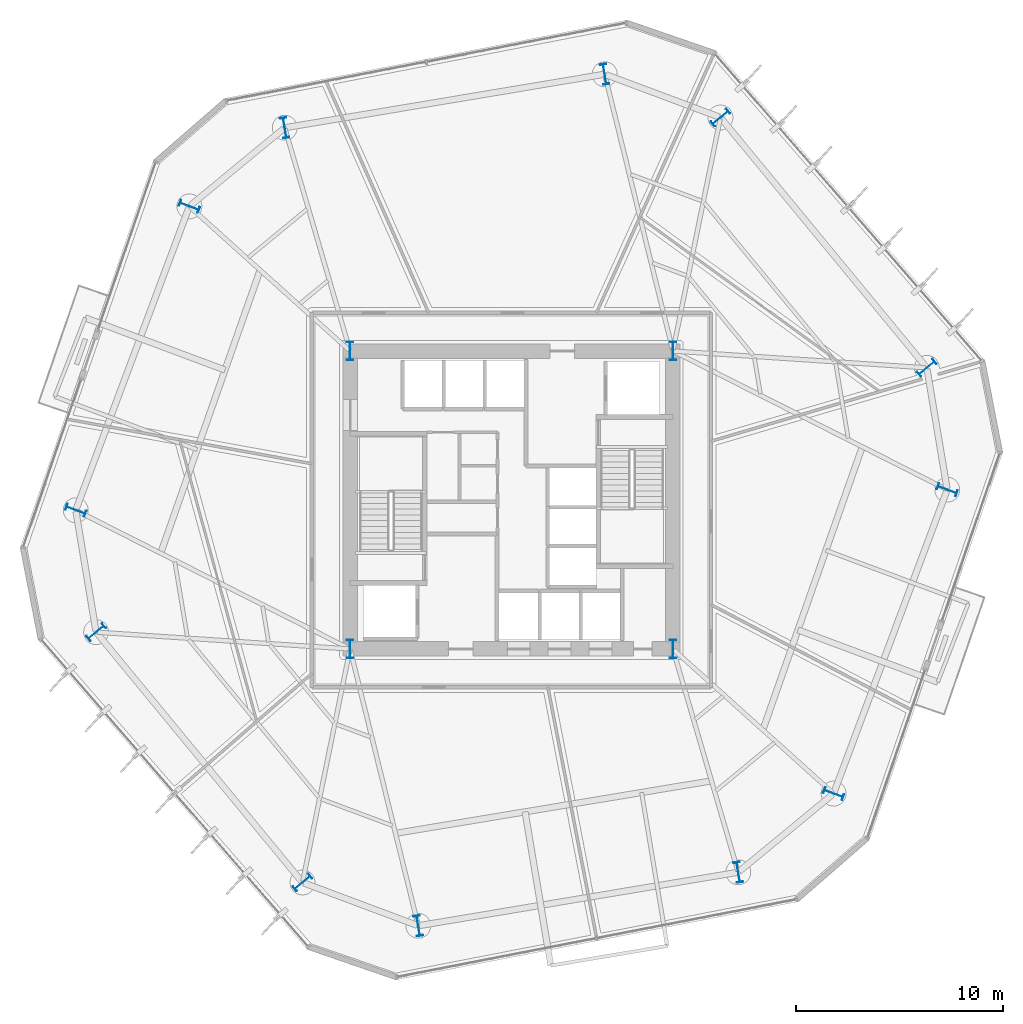
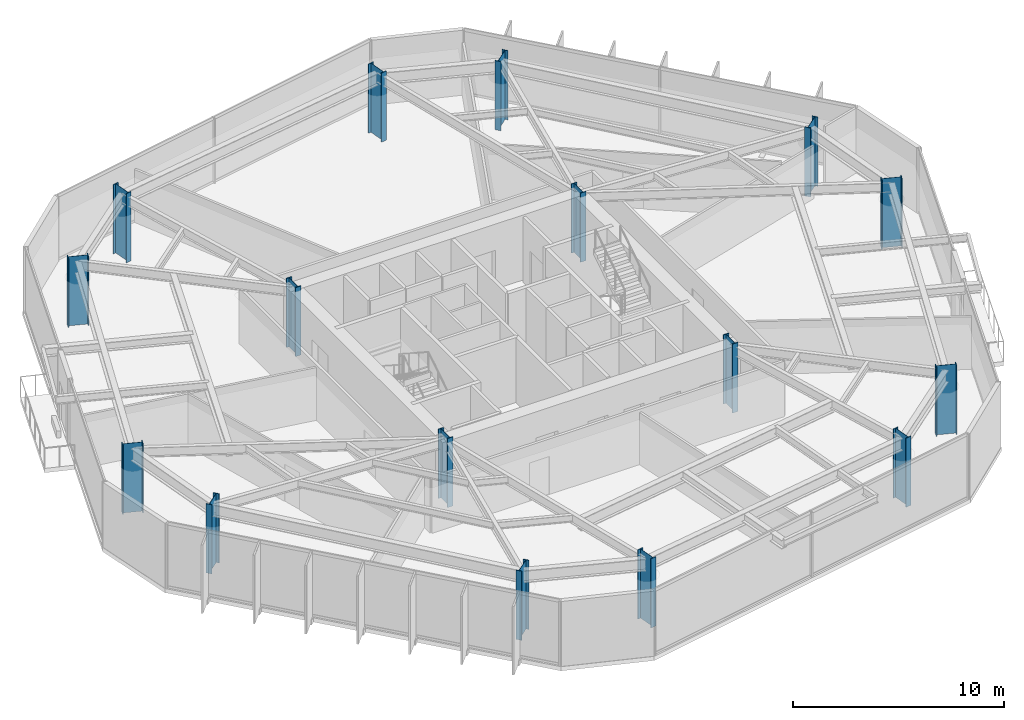
# One storey, part 1 of 10: 16 columns.
"""IFC4 building model written with IfcOpenShell, lengths in metres."""

from ifc_helpers import new_model, si_unit, direction, frame, origin, origin_2d, place, context, subcontext, project, spatial, i_section, extrude, material, material_profile, profile_set, type_object, element, save


model = new_model("IFC4")

# Units and contexts
model_context = context("Model", 3, precision=1e-05, world=origin(), true_north=direction((0.0, 1.0)))
body_context = subcontext(model_context, "Body", "Model", "MODEL_VIEW")
ifc_project = project(units=[si_unit("LENGTHUNIT", "METRE"), si_unit("AREAUNIT", "SQUARE_METRE"), si_unit("VOLUMEUNIT", "CUBIC_METRE"), si_unit("PLANEANGLEUNIT", "RADIAN"), si_unit("MASSUNIT", "GRAM", prefix="KILO")], contexts=[model_context])

# Site, building, storey
site_placement = place(None, origin())
site = spatial("IfcSite", under=ifc_project, at=site_placement, CompositionType="ELEMENT")
building_placement = place(site_placement, origin())
building = spatial("IfcBuilding", under=site, at=building_placement, Name="Kranzbogen Civic Tower", CompositionType="ELEMENT")
storey_placement = place(building_placement, frame((0.0, 0.0, 64.0)))
storey = spatial("IfcBuildingStorey", under=building, at=storey_placement, Name="L15", CompositionType="ELEMENT", Elevation=64.0)

# Columns
ifc_material_1 = material(Name="Steel S355", Category="steel")
ifc_material_profile_1 = material_profile(ifc_material_1, i_section(OverallWidth=0.300048828125, OverallDepth=1.0, WebThickness=0.01904296875, FlangeThickness=0.035888671875, at=origin_2d()), Name="HEB 1000")
ifc_profile_set_1 = profile_set([ifc_material_profile_1], Name="Steel S355")
column_type_1 = type_object("IfcColumnType", Name="Structural Column HEB 1000", PredefinedType="COLUMN", material=ifc_profile_set_1)
for number, where, z_axis, x_axis, name in (
    (1, (45.072021484375, 31.385986328125, 0.0), (0.0, 0.0, 1.0), (-0.636078220278, 0.771624583388, 0.0), "L15 tower perimeter tube column 01"),
    (2, (35.09912109375, 43.48388671875, 0.0), (0.0, 0.0, 1.0), (-0.636078220278, 0.771624583388, 0.0), "L15 tower perimeter tube column 02"),
    (3, (29.5048828125, 45.575927734375, 0.0), (0.0, 0.0, 1.0), (0.986285601537, 0.165047605861, 0.0), "L15 tower perimeter tube column 03"),
    (4, (14.0419921875, 42.988037109375, 0.0), (0.0, 0.0, 1.0), (0.986285601537, 0.165047605861, 0.0), "L15 tower perimeter tube column 04"),
    (5, (9.43310546875, 39.18896484375, 0.0), (0.0, 0.0, 1.0), (0.350207381259, 0.936672189248, 0.0), "L15 tower perimeter tube column 05"),
    (6, (3.943115234375, 24.50390625, 0.0), (0.0, 0.0, 1.0), (0.350207381259, 0.936672189248, 0.0), "L15 tower perimeter tube column 06"),
    (7, (4.927978515625, 18.614013671875, 0.0), (0.0, 0.0, 1.0), (-0.636078220278, 0.771624583388, 0.0), "L15 tower perimeter tube column 07"),
    (8, (14.90087890625, 6.51611328125, 0.0), (0.0, 0.0, 1.0), (-0.636078220278, 0.771624583388, 0.0), "L15 tower perimeter tube column 08"),
    (9, (20.4951171875, 4.424072265625, 0.0), (0.0, 0.0, 1.0), (0.986285601537, 0.165047605861, 0.0), "L15 tower perimeter tube column 09"),
    (10, (35.9580078125, 7.011962890625, 0.0), (0.0, 0.0, 1.0), (0.986285601537, 0.165047605861, 0.0), "L15 tower perimeter tube column 10"),
    (11, (40.56689453125, 10.81103515625, 0.0), (0.0, 0.0, 1.0), (0.350207381259, 0.936672189248, 0.0), "L15 tower perimeter tube column 11"),
    (12, (46.056884765625, 25.49609375, 0.0), (0.0, 0.0, 1.0), (0.350207381259, 0.936672189248, 0.0), "L15 tower perimeter tube column 12"),
):
    element("IfcColumn", number, at=place(storey_placement, frame(where, z_axis=z_axis, x_axis=x_axis)), inside=storey, type_object=column_type_1, Name=name, PredefinedType="COLUMN", context=body_context, shape_type="SweptSolid", body=[
        extrude(i_section(OverallWidth=0.300048828125, OverallDepth=1.0, WebThickness=0.01904296875, FlangeThickness=0.035888671875, at=origin_2d()), origin(), (0.0, 0.0, 1.0), 4.0),
    ])
ifc_material_2 = material(Name="Steel S460", Category="steel")
ifc_material_profile_2 = material_profile(ifc_material_2, i_section(OverallWidth=0.302001953125, OverallDepth=0.909912109375, WebThickness=0.02099609375, FlangeThickness=0.0400390625, at=origin_2d()), Name="HEM 900")
ifc_profile_set_2 = profile_set([ifc_material_profile_2], Name="Steel S460")
column_type_2 = type_object("IfcColumnType", Name="Structural Column HEM 900", PredefinedType="COLUMN", material=ifc_profile_set_2)
for number, where, z_axis, x_axis, name in (
    (13, (17.199951171875, 17.800048828125, 0.0), (0.0, 0.0, 1.0), (1.0, 0.0, 0.0), "L15 composite core corner column 1"),
    (14, (32.800048828125, 17.800048828125, 0.0), (0.0, 0.0, 1.0), (1.0, 0.0, 0.0), "L15 composite core corner column 2"),
    (15, (32.800048828125, 32.199951171875, 0.0), (0.0, 0.0, 1.0), (1.0, 0.0, 0.0), "L15 composite core corner column 3"),
    (16, (17.199951171875, 32.199951171875, 0.0), (0.0, 0.0, 1.0), (1.0, 0.0, 0.0), "L15 composite core corner column 4"),
):
    element("IfcColumn", number, at=place(storey_placement, frame(where, z_axis=z_axis, x_axis=x_axis)), inside=storey, type_object=column_type_2, Name=name, PredefinedType="COLUMN", context=body_context, shape_type="SweptSolid", body=[
        extrude(i_section(OverallWidth=0.302001953125, OverallDepth=0.909912109375, WebThickness=0.02099609375, FlangeThickness=0.0400390625, at=origin_2d()), origin(), (0.0, 0.0, 1.0), 4.0),
    ])

save(model, "model.ifc")
